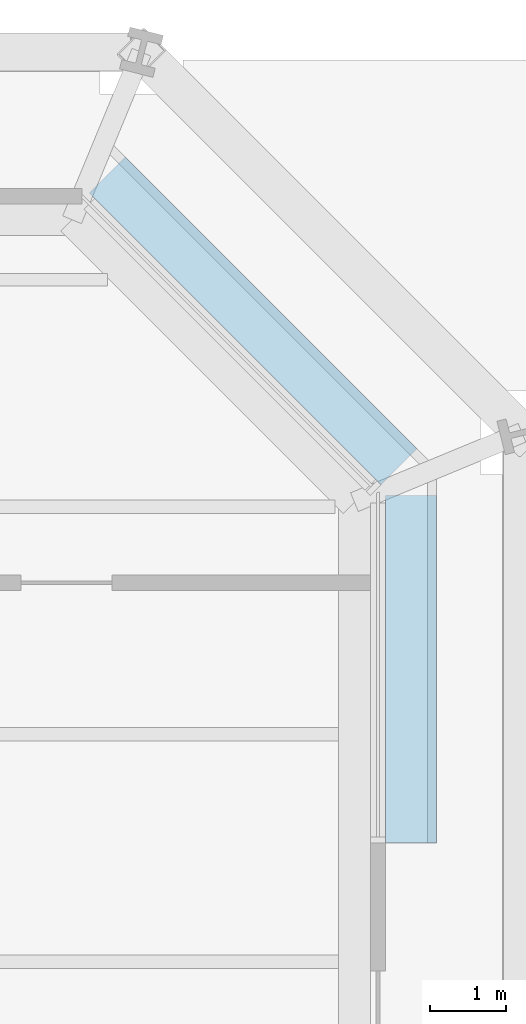
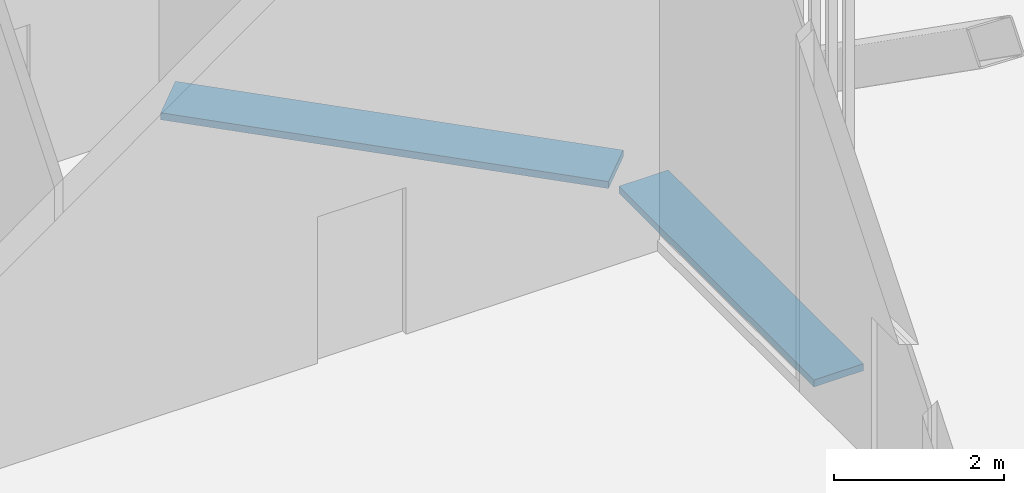
# One storey, part 20 of 28: 2 discrete accessories.
"""IFC4 building model written with IfcOpenShell, lengths in metres."""

from ifc_helpers import new_model, si_unit, direction, frame, origin, origin_2d, place, context, subcontext, project, spatial, rectangle, extrude, material, type_object, element, save


model = new_model("IFC4")

# Units and contexts
model_context = context("Model", 3, precision=1e-05, world=origin(), true_north=direction((0.0, 1.0)))
body_context = subcontext(model_context, "Body", "Model", "MODEL_VIEW")
ifc_project = project(units=[si_unit("LENGTHUNIT", "METRE"), si_unit("AREAUNIT", "SQUARE_METRE"), si_unit("VOLUMEUNIT", "CUBIC_METRE"), si_unit("PLANEANGLEUNIT", "RADIAN"), si_unit("MASSUNIT", "GRAM", prefix="KILO")], contexts=[model_context])

# Site, building, storey
site_placement = place(None, origin())
site = spatial("IfcSite", under=ifc_project, at=site_placement, CompositionType="ELEMENT")
building_placement = place(site_placement, origin())
building = spatial("IfcBuilding", under=site, at=building_placement, Name="Millrace Tower", CompositionType="ELEMENT")
storey_placement = place(building_placement, origin())
storey = spatial("IfcBuildingStorey", under=building, at=storey_placement, Name="L01", CompositionType="ELEMENT", Elevation=0.0)

# Discrete accessories
ifc_material = material(Name="Stainless steel ASTM A240 type 316", Category="steel")
discrete_accessory_type = type_object("IfcDiscreteAccessoryType", Name="Thermally broken screen support rail", PredefinedType="BRACKET", material=ifc_material)
discrete_accessory_1_placement = place(storey_placement, frame((25.534912109375, 18.8583984375, 0.0), z_axis=(0.0, 0.0, 1.0), x_axis=(0.0, 1.0, 0.0)))
element("IfcDiscreteAccessory", 1, at=discrete_accessory_1_placement, inside=storey, type_object=discrete_accessory_type, Name="Thermally broken screen support rail AW1-F02 L01 4", PredefinedType="BRACKET", context=body_context, shape_type="SweptSolid", body=[
    extrude(rectangle(XDim=4.583251953125, YDim=0.669921875, at=origin_2d()), origin(), (0.0, 0.0, 1.0), 0.10009765625),
])
discrete_accessory_2_placement = place(storey_placement, frame((23.453369140625, 23.453369140625, 0.0), z_axis=(0.0, 0.0, 1.0), x_axis=(-0.707106781187, 0.707106781187, 0.0)))
element("IfcDiscreteAccessory", 2, at=discrete_accessory_2_placement, inside=storey, type_object=discrete_accessory_type, Name="Thermally broken screen support rail AW1-F03 L01 1", PredefinedType="BRACKET", context=body_context, shape_type="SweptSolid", body=[
    extrude(rectangle(XDim=5.44482421875, YDim=0.669921875, at=origin_2d()), origin(), (0.0, 0.0, 1.0), 0.10009765625),
])

save(model, "model.ifc")
